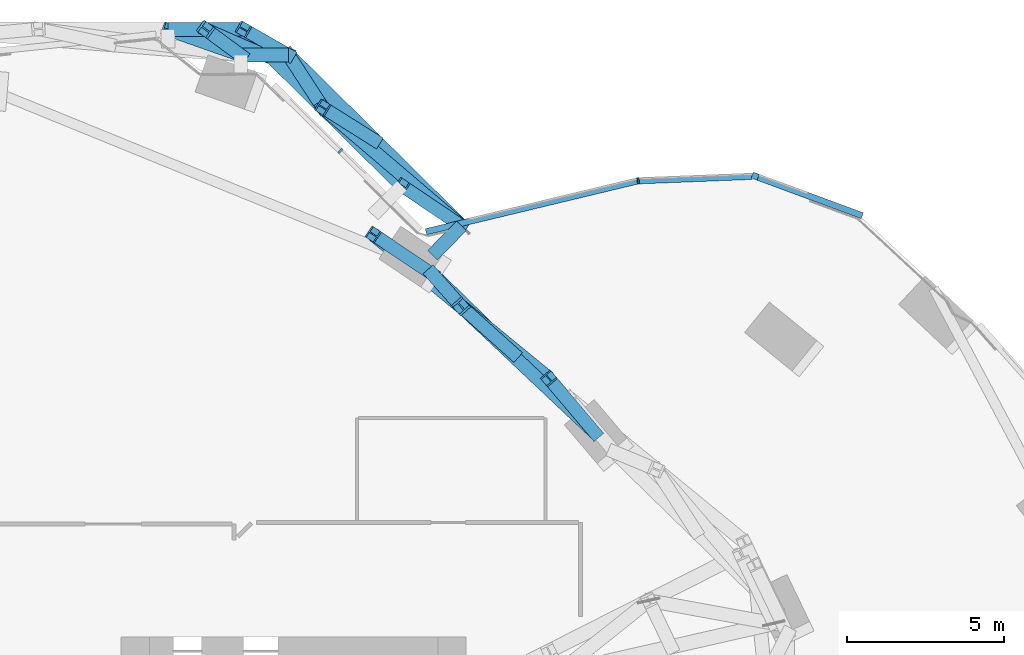
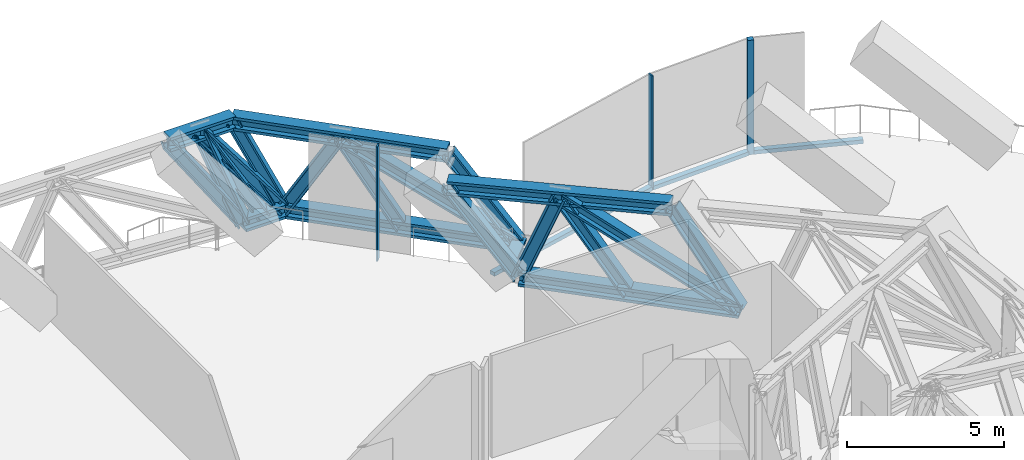
# One storey, part 12 of 27: 27 members, 4 elements without a shape of their own.
"""IFC4 building model written with IfcOpenShell, lengths in metres."""

import ifcopenshell
import ifcopenshell.guid

model = None  # the IFC model being written
_history = None  # IfcOwnerHistory: only IFC2X3 demands one
_inside = {}  # id of a spatial element -> (the spatial element, [elements in it])
_under = {}  # id of a project, library or spatial element -> (it, [spatial elements below it])
_declared = {}  # id of a project -> (the project, [libraries it declares])
_typed = {}  # id of a type object -> (the type object, [elements of that type])
_made_of = {}  # id of a material, layer set ... -> (it, [elements and type objects made of it])


def new_model(schema):
    """Start an empty IFC model of exactly this schema.

    Asked for "IFC4X3", IfcOpenShell would pick the latest addendum, in which some entities
    have other attributes; the version numbers below select the first issue.
    IFC2X3 requires an IfcOwnerHistory on every rooted entity: one is made here for all.
    """
    global model, _history
    if schema == "IFC4X3":
        model = ifcopenshell.file(schema_version=(4, 3, 0, 0))
    else:
        model = ifcopenshell.file(schema=schema)
    _inside.clear()
    _under.clear()
    _declared.clear()
    _typed.clear()
    _made_of.clear()
    _history = None
    if model.schema == "IFC2X3":
        org = make("IfcOrganization", Name="unknown")
        user = make(
            "IfcPersonAndOrganization",
            ThePerson=make("IfcPerson", FamilyName="unknown"),
            TheOrganization=org,
        )
        app = make(
            "IfcApplication",
            ApplicationDeveloper=org,
            Version="unknown",
            ApplicationFullName="unknown",
            ApplicationIdentifier="unknown",
        )
        _history = make(
            "IfcOwnerHistory",
            OwningUser=user,
            OwningApplication=app,
            ChangeAction="ADDED",
            CreationDate=0,
        )
    return model


def make(cls, **values):
    """One entity of the class cls with the attributes given. An attribute that is None is left unset."""
    return model.create_entity(
        cls, **{name: value for name, value in values.items() if value is not None}
    )


def rooted(cls, **values):
    """An entity with a GlobalId (a new one), such as an element, a storey or a relation."""
    return make(cls, GlobalId=ifcopenshell.guid.new(), OwnerHistory=_history, **values)


def si_unit(unit_type, name, prefix=None):
    """IfcSIUnit, for example si_unit("LENGTHUNIT", "METRE", prefix="MILLI")."""
    return make("IfcSIUnit", UnitType=unit_type, Prefix=prefix, Name=name)


def assignment(units):
    """IfcUnitAssignment: the units of a project."""
    return None if units is None else make("IfcUnitAssignment", Units=units)


def point(xyz):
    """IfcCartesianPoint."""
    return None if xyz is None else make("IfcCartesianPoint", Coordinates=xyz)


def direction(xyz):
    """IfcDirection."""
    return None if xyz is None else make("IfcDirection", DirectionRatios=xyz)


def frame(location, z_axis=None, x_axis=None):
    """IfcAxis2Placement3D, a coordinate frame: its origin and axes. An axis left out is left unset."""
    return make(
        "IfcAxis2Placement3D",
        Location=point(location),
        Axis=direction(z_axis),
        RefDirection=direction(x_axis),
    )


def frame_2d(location, x_axis=None):
    """IfcAxis2Placement2D, a coordinate frame in the plane: its origin and x axis."""
    return make(
        "IfcAxis2Placement2D", Location=point(location), RefDirection=direction(x_axis)
    )


def origin():
    """The frame at (0, 0, 0) with its axes left unset."""
    return frame((0.0, 0.0, 0.0))


def origin_2d():
    """The frame at (0, 0) in the plane with its x axis left unset."""
    return frame_2d((0.0, 0.0))


def place(relative_to, where):
    """IfcLocalPlacement: puts the frame where relative to a parent placement (None: the world)."""
    return make(
        "IfcLocalPlacement", PlacementRelTo=relative_to, RelativePlacement=where
    )


def context(
    kind, dimensions, precision=None, world=None, true_north=None, identifier=None
):
    """IfcGeometricRepresentationContext, for example the 3D "Model" context."""
    return make(
        "IfcGeometricRepresentationContext",
        ContextIdentifier=identifier,
        ContextType=kind,
        CoordinateSpaceDimension=dimensions,
        Precision=precision,
        WorldCoordinateSystem=world,
        TrueNorth=true_north,
    )


def subcontext(parent, identifier, kind, view, scale=None):
    """IfcGeometricRepresentationSubContext, for example "Body" below "Model"."""
    return make(
        "IfcGeometricRepresentationSubContext",
        ContextIdentifier=identifier,
        ContextType=kind,
        ParentContext=parent,
        TargetScale=scale,
        TargetView=view,
    )


def project(units=None, contexts=None):
    """IfcProject with its units and contexts."""
    return rooted(
        "IfcProject",
        Name="project",
        RepresentationContexts=contexts,
        UnitsInContext=assignment(units),
    )


def spatial(cls, under=None, at=None, **own):
    """A site, building, storey or space (cls), placed at a placement, below another one or the project."""
    s = rooted(cls, ObjectPlacement=at, **own)
    if under is not None:
        _under.setdefault(under.id(), (under, []))[1].append(s)
    return s


def profile(cls, at=None, kind="AREA", **sizes):
    """A parametric profile (cls). Its sizes go by their IFC names, for example OverallWidth=200.0."""
    return make(cls, ProfileType=kind, Position=at, **sizes)


def rectangle(**sizes):
    """IfcRectangleProfileDef."""
    return profile("IfcRectangleProfileDef", **sizes)


def i_section(**sizes):
    """IfcIShapeProfileDef."""
    return profile("IfcIShapeProfileDef", **sizes)


def extrude(swept, where, along, depth):
    """IfcExtrudedAreaSolid: the profile swept, set in the frame where, extruded along a direction by depth."""
    return make(
        "IfcExtrudedAreaSolid",
        SweptArea=swept,
        Position=where,
        ExtrudedDirection=direction(along),
        Depth=depth,
    )


def shape(context_of_items, identifier, shape_type, items):
    """IfcShapeRepresentation: the items that make up one representation, for example the "Body"."""
    return make(
        "IfcShapeRepresentation",
        ContextOfItems=context_of_items,
        RepresentationIdentifier=identifier,
        RepresentationType=shape_type,
        Items=items,
    )


def material(Name=None, Category=None):
    """IfcMaterial."""
    return make("IfcMaterial", Name=Name, Category=Category)


def material_profile(
    of_material, cross_section, Name=None, Category=None, Priority=None
):
    """IfcMaterialProfile: a cross section and its material."""
    return make(
        "IfcMaterialProfile",
        Name=Name,
        Material=of_material,
        Profile=cross_section,
        Priority=Priority,
        Category=Category,
    )


def profile_set(profiles, Name=None, composite=None):
    """IfcMaterialProfileSet."""
    return make(
        "IfcMaterialProfileSet",
        Name=Name,
        MaterialProfiles=profiles,
        CompositeProfile=composite,
    )


def made_of(thing, what):
    """Note that an element or type object is made of a material, layer set ...; save() writes the relation."""
    if what is not None:
        _made_of.setdefault(what.id(), (what, []))[1].append(thing)
    return thing


def type_object(cls, material=None, **own):
    """A type object (cls), such as IfcWallType, which elements share."""
    return made_of(rooted(cls, **own), material)


def element(
    cls,
    number,
    at=None,
    inside=None,
    cuts=None,
    type_object=None,
    material=None,
    context=None,
    identifier="Body",
    shape_type=None,
    held_by="IfcProductDefinitionShape",
    body=None,
    shapes=None,
    **own,
):
    """One element of the class cls, such as IfcWall. Its Tag is "e" and its number.

    at: its placement. inside: the storey or other place that contains it. cuts: it is an
    opening in that element (IfcRelVoidsElement). A single representation is given by context,
    identifier, shape_type and body (its items); several are given by shapes. held_by: the class
    of the entity that holds the representations. save() writes the other relations.
    """
    e = rooted(cls, Tag="e%d" % number, ObjectPlacement=at, **own)
    if body is not None:
        shapes = [shape(context, identifier, shape_type, body)]
    if shapes is not None:
        e.Representation = make(held_by, Representations=shapes)
    if inside is not None:
        _inside.setdefault(inside.id(), (inside, []))[1].append(e)
    if cuts is not None:
        rooted(
            "IfcRelVoidsElement", RelatingBuildingElement=cuts, RelatedOpeningElement=e
        )
    if type_object is not None:
        _typed.setdefault(type_object.id(), (type_object, []))[1].append(e)
    return made_of(e, material)


def aggregate(whole, parts):
    """IfcRelAggregates: a whole, such as a stair, and the parts it consists of."""
    return rooted("IfcRelAggregates", RelatingObject=whole, RelatedObjects=parts)


def save(model, path):
    """Write the relations noted so far, then the file.

    IfcRelAggregates (storeys below a building ...), IfcRelContainedInSpatialStructure (elements
    in a storey), IfcRelDefinesByType, IfcRelAssociatesMaterial and IfcRelDeclares: one each for
    every whole, place, type object, material and project.
    """
    for whole, parts in _under.values():
        aggregate(whole, parts)
    for where, things in _inside.values():
        rooted(
            "IfcRelContainedInSpatialStructure",
            RelatedElements=things,
            RelatingStructure=where,
        )
    for kind, things in _typed.values():
        rooted("IfcRelDefinesByType", RelatedObjects=things, RelatingType=kind)
    for what, things in _made_of.values():
        rooted("IfcRelAssociatesMaterial", RelatedObjects=things, RelatingMaterial=what)
    for by, libraries in _declared.values():
        rooted("IfcRelDeclares", RelatingContext=by, RelatedDefinitions=libraries)
    model.write(path)


model = new_model("IFC4")

# Units and contexts
model_context = context("Model", 3, precision=1e-05, world=origin(), true_north=direction((0.0, 1.0)))
body_context = subcontext(model_context, "Body", "Model", "MODEL_VIEW")
ifc_project = project(units=[si_unit("LENGTHUNIT", "METRE"), si_unit("AREAUNIT", "SQUARE_METRE"), si_unit("VOLUMEUNIT", "CUBIC_METRE"), si_unit("PLANEANGLEUNIT", "RADIAN"), si_unit("MASSUNIT", "GRAM", prefix="KILO")], contexts=[model_context])

# Site, building, storey
site_placement = place(None, origin())
site = spatial("IfcSite", under=ifc_project, at=site_placement, CompositionType="ELEMENT")
building_placement = place(site_placement, origin())
building = spatial("IfcBuilding", under=site, at=building_placement, Name="Orlundy Tower", CompositionType="ELEMENT")
storey_placement = place(building_placement, frame((0.0, 0.0, 206.10009765625)))
storey = spatial("IfcBuildingStorey", under=building, at=storey_placement, Name="L54", CompositionType="ELEMENT", Elevation=206.10009765625)

# Members
ifc_material_1 = material(Name="Steel ASTM A992 Gr 50", Category="steel")
ifc_material_profile_1 = material_profile(ifc_material_1, i_section(OverallWidth=0.4423828125, OverallDepth=0.531494140625, WebThickness=0.06591796875, FlangeThickness=0.105712890625, at=origin_2d()), Name="W14X605")
ifc_profile_set_1 = profile_set([ifc_material_profile_1], Name="Steel ASTM A992 Gr 50")
member_type_1 = type_object("IfcMemberType", Name="BELT TRUSS chord W14X605", PredefinedType="CHORD", material=ifc_profile_set_1)
member_1_placement = place(storey_placement, frame((23.119140625, 18.50634765625, 0.28466796875), z_axis=(-0.71570179221, 0.698406002715, 0.0), x_axis=(-0.698406002715, -0.71570179221, 0.0)))
element("IfcMember", 1, at=member_1_placement, inside=storey, type_object=member_type_1, Name="Belt truss bottom chord BT-15", PredefinedType="CHORD", context=body_context, shape_type="SweptSolid", body=[
    extrude(i_section(OverallWidth=0.4423828125, OverallDepth=0.531494140625, WebThickness=0.06591796875, FlangeThickness=0.105712890625, at=origin_2d()), origin(), (0.0, 0.0, 1.0), 7.2412109375),
])
member_2_placement = place(storey_placement, frame((21.639404296875, 20.25048828125, 3.715087890625), z_axis=(-0.77331406853, 0.63402314738, 0.0), x_axis=(-0.63402314738, -0.77331406853, 0.0)))
element("IfcMember", 2, at=member_2_placement, inside=storey, type_object=member_type_1, Name="Belt truss top chord BT-15", PredefinedType="CHORD", context=body_context, shape_type="SweptSolid", body=[
    extrude(i_section(OverallWidth=0.4423828125, OverallDepth=0.531494140625, WebThickness=0.06591796875, FlangeThickness=0.105712890625, at=origin_2d()), origin(), (0.0, 0.0, 1.0), 7.242431640625),
])
member_3_placement = place(storey_placement, frame((18.852294921875, 25.1123046875, 0.28466796875), z_axis=(-0.711217671179, 0.702971851644, 0.0), x_axis=(-0.702971851644, -0.711217671179, 0.0)))
element("IfcMember", 3, at=member_3_placement, inside=storey, type_object=member_type_1, Name="Belt truss bottom chord BT-16A", PredefinedType="CHORD", context=body_context, shape_type="SweptSolid", body=[
    extrude(i_section(OverallWidth=0.4423828125, OverallDepth=0.531494140625, WebThickness=0.06591796875, FlangeThickness=0.105712890625, at=origin_2d()), origin(), (0.0, 0.0, 1.0), 7.75732421875),
])
member_4_placement = place(storey_placement, frame((16.95458984375, 26.39111328125, 3.715087890625), z_axis=(-0.711237341999, 0.702951949529, 0.0), x_axis=(-0.702951949529, -0.711237341999, 0.0)))
element("IfcMember", 4, at=member_4_placement, inside=storey, type_object=member_type_1, Name="Belt truss top chord BT-16A", PredefinedType="CHORD", context=body_context, shape_type="SweptSolid", body=[
    extrude(i_section(OverallWidth=0.4423828125, OverallDepth=0.531494140625, WebThickness=0.06591796875, FlangeThickness=0.105712890625, at=origin_2d()), origin(), (0.0, 0.0, 1.0), 7.101318359375),
])
member_5_placement = place(storey_placement, frame((13.335205078125, 30.5654296875, 0.28466796875), z_axis=(-0.999982488469, -0.005918002571, 0.0), x_axis=(0.005918002571, -0.999982488469, 0.0)))
element("IfcMember", 5, at=member_5_placement, inside=storey, type_object=member_type_1, Name="Belt truss bottom chord BT-16B", PredefinedType="CHORD", context=body_context, shape_type="SweptSolid", body=[
    extrude(i_section(OverallWidth=0.4423828125, OverallDepth=0.531494140625, WebThickness=0.06591796875, FlangeThickness=0.105712890625, at=origin_2d()), origin(), (0.0, 0.0, 1.0), 1.5263671875),
])
member_6_placement = place(storey_placement, frame((11.90380859375, 31.383056640625, 3.715087890625), z_axis=(-0.999982734449, -0.005876291651, 0.0), x_axis=(0.005876291651, -0.999982734449, 0.0)))
element("IfcMember", 6, at=member_6_placement, inside=storey, type_object=member_type_1, Name="Belt truss top chord BT-16B", PredefinedType="CHORD", context=body_context, shape_type="SweptSolid", body=[
    extrude(i_section(OverallWidth=0.4423828125, OverallDepth=0.531494140625, WebThickness=0.06591796875, FlangeThickness=0.105712890625, at=origin_2d()), origin(), (0.0, 0.0, 1.0), 2.40966796875),
])
ifc_material_2 = material(Name="Steel ASTM A992 Gr 50", Category="steel")
ifc_material_profile_2 = material_profile(ifc_material_2, i_section(OverallWidth=0.42431640625, OverallDepth=0.47412109375, WebThickness=0.0478515625, FlangeThickness=0.0771484375, at=origin_2d()), Name="W14X426")
ifc_profile_set_2 = profile_set([ifc_material_profile_2], Name="Steel ASTM A992 Gr 50")
member_type_2 = type_object("IfcMemberType", Name="BELT TRUSS diagonal W14X426", PredefinedType="BRACE", material=ifc_profile_set_2)
member_7_placement = place(storey_placement, frame((23.119140625, 18.50634765625, 0.28466796875), z_axis=(-0.628273425908, 0.593044815009, 0.503557692512), x_axis=(-0.686424967736, -0.727200635085, 0.0)))
element("IfcMember", 7, at=member_7_placement, inside=storey, type_object=member_type_2, Name="Belt truss diagonal BT-15-0", PredefinedType="BRACE", context=body_context, shape_type="SweptSolid", body=[
    extrude(i_section(OverallWidth=0.42431640625, OverallDepth=0.47412109375, WebThickness=0.0478515625, FlangeThickness=0.0771484375, at=origin_2d()), origin(), (0.0, 0.0, 1.0), 6.812255859375),
])
member_8_placement = place(storey_placement, frame((18.839111328125, 22.54638671875, 3.715087890625), z_axis=(-0.244591961118, 0.275686962938, -0.929608235238), x_axis=(-0.748032953378, -0.663661585946, 0.0)))
element("IfcMember", 8, at=member_8_placement, inside=storey, type_object=member_type_2, Name="Belt truss diagonal BT-15-1", PredefinedType="BRACE", context=body_context, shape_type="SweptSolid", body=[
    extrude(i_section(OverallWidth=0.42431640625, OverallDepth=0.47412109375, WebThickness=0.0478515625, FlangeThickness=0.0771484375, at=origin_2d()), origin(), (0.0, 0.0, 1.0), 3.690185546875),
])
member_9_placement = place(storey_placement, frame((18.852294921875, 25.1123046875, 0.28466796875), z_axis=(-0.655150500096, 0.559103708229, 0.508115012245), x_axis=(-0.649147452481, -0.76066259599, 0.0)))
element("IfcMember", 9, at=member_9_placement, inside=storey, type_object=member_type_2, Name="Belt truss diagonal BT-16A-0", PredefinedType="BRACE", context=body_context, shape_type="SweptSolid", body=[
    extrude(i_section(OverallWidth=0.42431640625, OverallDepth=0.47412109375, WebThickness=0.0478515625, FlangeThickness=0.0771484375, at=origin_2d()), origin(), (0.0, 0.0, 1.0), 6.751220703125),
])
member_10_placement = place(storey_placement, frame((14.42919921875, 28.886962890625, 3.715087890625), z_axis=(-0.275382269118, 0.422506828874, -0.863511774911), x_axis=(-0.83776086513, -0.546037299876, 0.0)))
element("IfcMember", 10, at=member_10_placement, inside=storey, type_object=member_type_2, Name="Belt truss diagonal BT-16A-1", PredefinedType="BRACE", context=body_context, shape_type="SweptSolid", body=[
    extrude(i_section(OverallWidth=0.42431640625, OverallDepth=0.47412109375, WebThickness=0.0478515625, FlangeThickness=0.0771484375, at=origin_2d()), origin(), (0.0, 0.0, 1.0), 3.97265625),
])
member_11_placement = place(storey_placement, frame((13.335205078125, 30.5654296875, 0.28466796875), z_axis=(-0.598919382596, 0.184146355827, 0.779349531845), x_axis=(-0.293886791816, -0.955840234347, 0.0)))
element("IfcMember", 11, at=member_11_placement, inside=storey, type_object=member_type_2, Name="Belt truss diagonal BT-16B-0", PredefinedType="BRACE", context=body_context, shape_type="SweptSolid", body=[
    extrude(i_section(OverallWidth=0.42431640625, OverallDepth=0.47412109375, WebThickness=0.0478515625, FlangeThickness=0.0771484375, at=origin_2d()), origin(), (0.0, 0.0, 1.0), 4.401611328125),
])
member_12_placement = place(storey_placement, frame((10.698974609375, 31.3759765625, 3.715087890625), z_axis=(0.300168250382, -0.221659660478, -0.927774765975), x_axis=(0.594037742828, 0.804437169763, 0.0)))
element("IfcMember", 12, at=member_12_placement, inside=storey, type_object=member_type_2, Name="Belt truss diagonal BT-16B-1", PredefinedType="BRACE", context=body_context, shape_type="SweptSolid", body=[
    extrude(i_section(OverallWidth=0.42431640625, OverallDepth=0.47412109375, WebThickness=0.0478515625, FlangeThickness=0.0771484375, at=origin_2d()), origin(), (0.0, 0.0, 1.0), 3.697509765625),
])
ifc_material_3 = material(Name="Steel ASTM A992 Gr 50", Category="steel")
ifc_material_profile_3 = material_profile(ifc_material_3, i_section(OverallWidth=0.412109375, OverallDepth=0.434814453125, WebThickness=0.035888671875, FlangeThickness=0.057373046875, at=origin_2d()), Name="W14X311")
ifc_profile_set_3 = profile_set([ifc_material_profile_3], Name="Steel ASTM A992 Gr 50")
member_type_3 = type_object("IfcMemberType", Name="BELT TRUSS post W14X311", PredefinedType="POST", material=ifc_profile_set_3)
member_13_placement = place(storey_placement, frame((23.119140625, 18.50634765625, 0.28466796875), z_axis=(-0.358894824127, 0.42302336637, 0.83201306283), x_axis=(-0.762539452129, -0.646941716035, 0.0)))
element("IfcMember", 13, at=member_13_placement, inside=storey, type_object=member_type_3, Name="Belt truss post BT-15-0", PredefinedType="POST", context=body_context, shape_type="SweptSolid", body=[
    extrude(i_section(OverallWidth=0.412109375, OverallDepth=0.434814453125, WebThickness=0.035888671875, FlangeThickness=0.057373046875, at=origin_2d()), origin(), (0.0, 0.0, 1.0), 4.123046875),
])
member_14_placement = place(storey_placement, frame((20.52783203125, 21.034912109375, 0.28466796875), z_axis=(-0.410734914804, 0.367624672192, 0.834355397991), x_axis=(-0.666920804449, -0.745128606747, 0.0)))
element("IfcMember", 14, at=member_14_placement, inside=storey, type_object=member_type_3, Name="Belt truss post BT-15-1", PredefinedType="POST", context=body_context, shape_type="SweptSolid", body=[
    extrude(i_section(OverallWidth=0.412109375, OverallDepth=0.434814453125, WebThickness=0.035888671875, FlangeThickness=0.057373046875, at=origin_2d()), origin(), (0.0, 0.0, 1.0), 4.111572265625),
])
for number, where, z_axis, x_axis, name in (
    (15, (17.9365234375, 23.563720703125, 0.28466796875), (-0.460209756906, 0.310062845352, 0.831906251678), (-0.55875616112, -0.829331991672, 0.0), "Belt truss post BT-15-2"),
    (16, (18.852294921875, 25.1123046875, 0.28466796875), (-0.460201307967, 0.310116358051, 0.831890978804), (-0.558829537748, -0.829282550003, 0.0), "Belt truss post BT-16A-0"),
):
    element("IfcMember", number, at=place(storey_placement, frame(where, z_axis=z_axis, x_axis=x_axis)), inside=storey, type_object=member_type_3, Name=name, PredefinedType="POST", context=body_context, shape_type="SweptSolid", body=[
        extrude(i_section(OverallWidth=0.412109375, OverallDepth=0.434814453125, WebThickness=0.035888671875, FlangeThickness=0.057373046875, at=origin_2d()), origin(), (0.0, 0.0, 1.0), 4.12353515625),
    ])
member_15_placement = place(storey_placement, frame((16.09375, 27.8388671875, 0.28466796875), z_axis=(-0.420939931508, 0.265047686413, 0.867501756764), x_axis=(-0.532829728968, -0.846222476614, 0.0)))
element("IfcMember", 17, at=member_15_placement, inside=storey, type_object=member_type_3, Name="Belt truss post BT-16A-1", PredefinedType="POST", context=body_context, shape_type="SweptSolid", body=[
    extrude(i_section(OverallWidth=0.412109375, OverallDepth=0.434814453125, WebThickness=0.035888671875, FlangeThickness=0.057373046875, at=origin_2d()), origin(), (0.0, 0.0, 1.0), 3.954345703125),
])
member_16_placement = place(storey_placement, frame((13.335205078125, 30.5654296875, 0.28466796875), z_axis=(-0.37609524236, 0.214829092046, 0.901332807505), x_axis=(-0.495995386043, -0.868325156277, 0.0)))
element("IfcMember", 18, at=member_16_placement, inside=storey, type_object=member_type_3, Name="Belt truss post BT-16A-2", PredefinedType="POST", context=body_context, shape_type="SweptSolid", body=[
    extrude(i_section(OverallWidth=0.412109375, OverallDepth=0.434814453125, WebThickness=0.035888671875, FlangeThickness=0.057373046875, at=origin_2d()), origin(), (0.0, 0.0, 1.0), 3.805908203125),
])
member_17_placement = place(storey_placement, frame((12.572021484375, 30.560791015625, 0.28466796875), z_axis=(-0.469133167283, 0.204175657659, 0.859201008015), x_axis=(-0.399062590341, -0.916923687659, 0.0)))
element("IfcMember", 19, at=member_17_placement, inside=storey, type_object=member_type_3, Name="Belt truss post BT-16B-1", PredefinedType="POST", context=body_context, shape_type="SweptSolid", body=[
    extrude(i_section(OverallWidth=0.412109375, OverallDepth=0.434814453125, WebThickness=0.035888671875, FlangeThickness=0.057373046875, at=origin_2d()), origin(), (0.0, 0.0, 1.0), 3.99267578125),
])
member_18_placement = place(storey_placement, frame((11.808837890625, 30.556396484375, 0.28466796875), z_axis=(-0.548855446711, 0.192658045212, 0.813412918652), x_axis=(-0.331205859224, -0.94355851902, 0.0)))
element("IfcMember", 20, at=member_18_placement, inside=storey, type_object=member_type_3, Name="Belt truss post BT-16B-2", PredefinedType="POST", context=body_context, shape_type="SweptSolid", body=[
    extrude(i_section(OverallWidth=0.412109375, OverallDepth=0.434814453125, WebThickness=0.035888671875, FlangeThickness=0.057373046875, at=origin_2d()), origin(), (0.0, 0.0, 1.0), 4.21728515625),
])
ifc_material_4 = material(Name="Steel ASTM A992 Gr 50", Category="steel")
ifc_material_profile_4 = material_profile(ifc_material_4, i_section(OverallWidth=0.43212890625, OverallDepth=0.497802734375, WebThickness=0.0556640625, FlangeThickness=0.0888671875, at=origin_2d()), Name="W14X500")
ifc_profile_set_4 = profile_set([ifc_material_profile_4], Name="Steel ASTM A992 Gr 50")
member_type_4 = type_object("IfcMemberType", Name="BELT TRUSS strut W14X500", PredefinedType="STRUT", material=ifc_profile_set_4)
member_19_placement = place(storey_placement, frame((17.930908203125, 24.180419921875, 0.28466796875), z_axis=(0.703090021931, 0.71110085154, 0.0), x_axis=(-0.71110085154, 0.703090021931, 0.0)))
element("IfcMember", 21, at=member_19_placement, inside=storey, type_object=member_type_4, Name="Belt truss bracket C-H02", PredefinedType="STRUT", context=body_context, shape_type="SweptSolid", body=[
    extrude(i_section(OverallWidth=0.43212890625, OverallDepth=0.497802734375, WebThickness=0.0556640625, FlangeThickness=0.0888671875, at=origin_2d()), origin(), (0.0, 0.0, 1.0), 1.310546875),
])

# Curtain wall, member
ifc_material_5 = material(Name="Aluminium bronze anodised", Category="aluminium")
curtain_wall_type = type_object("IfcCurtainWallType", Name="CW4 wall", PredefinedType="NOTDEFINED", material=ifc_material_5)
curtain_wall_1_placement = place(storey_placement, origin())
curtain_wall_1 = element("IfcCurtainWall", 22, at=curtain_wall_1_placement, inside=storey, type_object=curtain_wall_type, Name="CW4 run 018", PredefinedType="NOTDEFINED")
ifc_material_6 = material(Name="Aluminium bronze anodised", Category="aluminium")
ifc_material_profile_5 = material_profile(ifc_material_6, rectangle(XDim=0.199951171875, YDim=0.199951171875, at=origin_2d()), Name="CW4 corner post 200x200")
ifc_profile_set_5 = profile_set([ifc_material_profile_5], Name="Aluminium bronze anodised")
member_type_5 = type_object("IfcMemberType", Name="CW4 corner post 200x200", PredefinedType="MULLION", material=ifc_profile_set_5)
member_20_placement = place(storey_placement, frame((28.221923828125, 26.69677734375, -0.4501953125), z_axis=(0.0, 0.0, 1.0), x_axis=(0.346092852283, 0.938200265188, 0.0)))
member_20 = element("IfcMember", 23, at=member_20_placement, type_object=member_type_5, Name="CW4 mullion 27", PredefinedType="MULLION", context=body_context, shape_type="SweptSolid", body=[
    extrude(rectangle(XDim=0.199951171875, YDim=0.199951171875, at=origin_2d()), origin(), (0.0, 0.0, 1.0), 4.4501953125),
])

curtain_wall_2_placement = place(storey_placement, origin())
curtain_wall_2 = element("IfcCurtainWall", 24, at=curtain_wall_2_placement, inside=storey, type_object=curtain_wall_type, Name="CW4 run 015", PredefinedType="NOTDEFINED")
ifc_material_7 = material(Name="Aluminium bronze anodised", Category="aluminium")
ifc_material_profile_6 = material_profile(ifc_material_7, rectangle(XDim=0.199951171875, YDim=0.06005859375, at=origin_2d()), Name="CW4 mullion 60x200")
ifc_profile_set_6 = profile_set([ifc_material_profile_6], Name="Aluminium bronze anodised")
member_type_6 = type_object("IfcMemberType", Name="CW4 mullion 60x200", PredefinedType="MULLION", material=ifc_profile_set_6)
member_21_placement = place(storey_placement, frame((14.993408203125, 27.503173828125, -0.4501953125), z_axis=(0.0, 0.0, 1.0), x_axis=(0.702967464869, 0.711222007067, 0.0)))
member_21 = element("IfcMember", 25, at=member_21_placement, type_object=member_type_6, Name="CW4 mullion 24", PredefinedType="MULLION", context=body_context, shape_type="SweptSolid", body=[
    extrude(rectangle(XDim=0.199951171875, YDim=0.06005859375, at=origin_2d()), origin(), (0.0, 0.0, 1.0), 4.4501953125),
])
aggregate(curtain_wall_2, [member_21])

curtain_wall_3_placement = place(storey_placement, origin())
curtain_wall_3 = element("IfcCurtainWall", 26, at=curtain_wall_3_placement, inside=storey, type_object=curtain_wall_type, Name="CW4 run 017", PredefinedType="NOTDEFINED")
member_22_placement = place(storey_placement, frame((24.48828125, 26.550537109375, -0.4501953125), z_axis=(0.0, 0.0, 1.0), x_axis=(-0.136977836801, 0.990574112434, 0.0)))
member_22 = element("IfcMember", 27, at=member_22_placement, type_object=member_type_6, Name="CW4 mullion 26", PredefinedType="MULLION", context=body_context, shape_type="SweptSolid", body=[
    extrude(rectangle(XDim=0.199951171875, YDim=0.06005859375, at=origin_2d()), origin(), (0.0, 0.0, 1.0), 4.4501953125),
])

curtain_wall_4_placement = place(storey_placement, origin())
curtain_wall_4 = element("IfcCurtainWall", 28, at=curtain_wall_4_placement, inside=storey, type_object=curtain_wall_type, Name="CW4 run 016", PredefinedType="NOTDEFINED")
ifc_material_8 = material(Name="Aluminium bronze anodised", Category="aluminium")
ifc_material_profile_7 = material_profile(ifc_material_8, rectangle(XDim=0.199951171875, YDim=0.14990234375, at=origin_2d()), Name="CW4 transom 200x150")
ifc_profile_set_7 = profile_set([ifc_material_profile_7], Name="Aluminium bronze anodised")
member_type_7 = type_object("IfcMemberType", Name="CW4 transom 200x150", PredefinedType="USERDEFINED", material=ifc_profile_set_7)
member_23_placement = place(storey_placement, frame((17.721923828125, 24.925537109375, -0.375), z_axis=(0.97235370787, 0.233512883568, 0.0), x_axis=(-0.233512883568, 0.97235370787, 0.0)))
member_23 = element("IfcMember", 29, at=member_23_placement, type_object=member_type_7, Name="CW4 transom", ObjectType="TRANSOM", PredefinedType="USERDEFINED", context=body_context, shape_type="SweptSolid", body=[
    extrude(rectangle(XDim=0.199951171875, YDim=0.14990234375, at=origin_2d()), origin(), (0.0, 0.0, 1.0), 6.9287109375),
])
aggregate(curtain_wall_4, [member_23])

# Member
member_24_placement = place(storey_placement, frame((24.518310546875, 26.5517578125, -0.375), z_axis=(0.999236008583, 0.039081954298, 0.0), x_axis=(-0.039081954298, 0.999236008583, 0.0)))
member_24 = element("IfcMember", 30, at=member_24_placement, type_object=member_type_7, Name="CW4 transom", ObjectType="TRANSOM", PredefinedType="USERDEFINED", context=body_context, shape_type="SweptSolid", body=[
    extrude(rectangle(XDim=0.199951171875, YDim=0.14990234375, at=origin_2d()), origin(), (0.0, 0.0, 1.0), 3.59814453125),
])

aggregate(curtain_wall_3, [member_22, member_24])

member_25_placement = place(storey_placement, frame((28.315673828125, 26.662109375, -0.375), z_axis=(0.938212302835, -0.346060218473, 0.0), x_axis=(0.346060218473, 0.938212302835, 0.0)))
member_25 = element("IfcMember", 31, at=member_25_placement, type_object=member_type_7, Name="CW4 transom", ObjectType="TRANSOM", PredefinedType="USERDEFINED", context=body_context, shape_type="SweptSolid", body=[
    extrude(rectangle(XDim=0.199951171875, YDim=0.14990234375, at=origin_2d()), origin(), (0.0, 0.0, 1.0), 3.538818359375),
])

aggregate(curtain_wall_1, [member_20, member_25])

save(model, "model.ifc")
